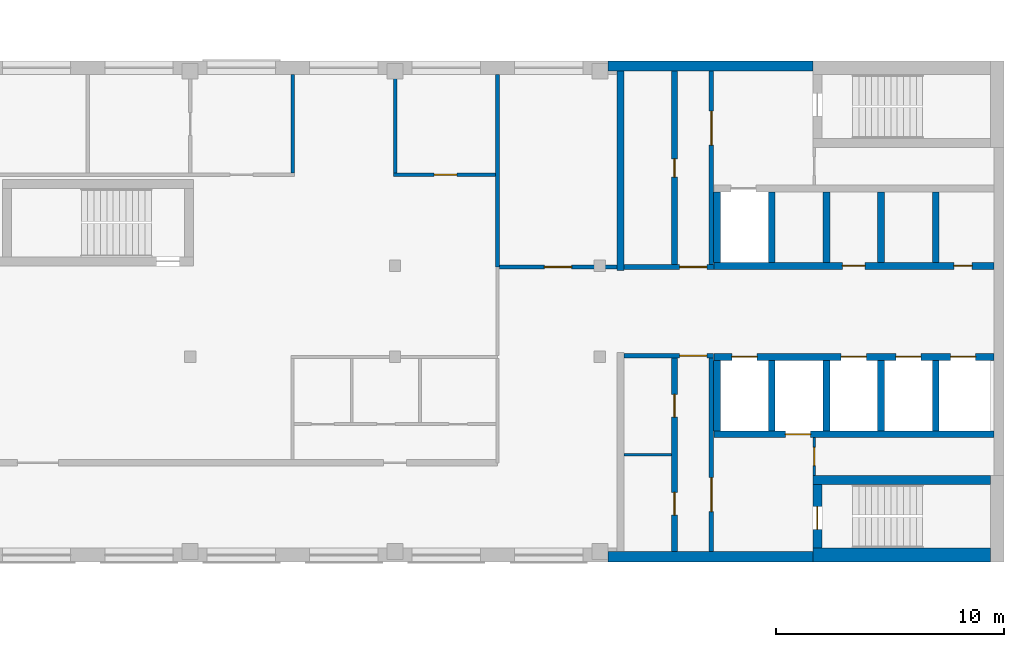
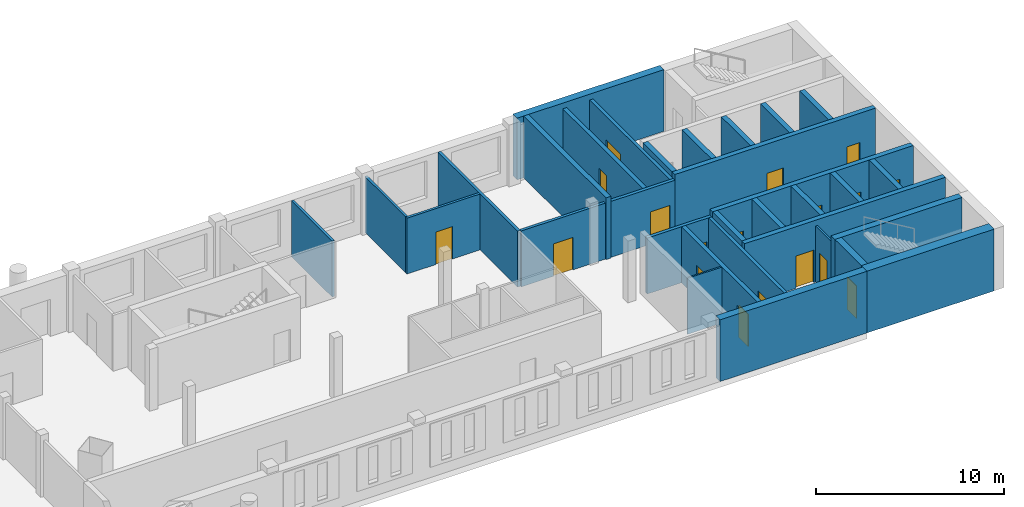
# One storey, part 3 of 7: 32 walls, 18 doors, 18 openings.
"""IFC4 building model written with IfcOpenShell, lengths in metres."""

from ifc_helpers import new_model, si_unit, direction, frame, frame_2d, origin, place, context, subcontext, project, spatial, rectangle, extrude, material, layer, layer_set, type_object, element, fill, save


model = new_model("IFC4")

# Units and contexts
model_context = context("Model", 3, precision=1e-05, world=origin(), true_north=direction((0.0, 1.0)))
body_context = subcontext(model_context, "Body", "Model", "MODEL_VIEW")
ifc_project = project(units=[si_unit("LENGTHUNIT", "METRE"), si_unit("AREAUNIT", "SQUARE_METRE"), si_unit("VOLUMEUNIT", "CUBIC_METRE"), si_unit("PLANEANGLEUNIT", "RADIAN"), si_unit("MASSUNIT", "GRAM", prefix="KILO")], contexts=[model_context])

# Site, building, storey
site_placement = place(None, origin())
site = spatial("IfcSite", under=ifc_project, at=site_placement, CompositionType="ELEMENT")
building_placement = place(site_placement, origin())
building = spatial("IfcBuilding", under=site, at=building_placement, Name="Skarvind Civic Tower", CompositionType="ELEMENT")
storey_placement = place(building_placement, frame((0.0, 0.0, 241.5)))
storey = spatial("IfcBuildingStorey", under=building, at=storey_placement, Name="L57", CompositionType="ELEMENT", Elevation=241.5)

# Wall
ifc_material_1 = material(Name="Acoustic gypsum board on steel studs", Category="steel")
ifc_layer_1 = layer(ifc_material_1, 0.175048828125)
ifc_layer_set_1 = layer_set([ifc_layer_1], Name="ACOUSTIC MEETING-ROOM PARTITION 175")
wall_type_1 = type_object("IfcWallType", Name="ACOUSTIC MEETING-ROOM PARTITION 175", PredefinedType="PARTITIONING", material=ifc_layer_set_1)
wall_1_placement = place(storey_placement, frame((85.75, 129.949951171875, 0.0), z_axis=(0.0, 0.0, 1.0), x_axis=(0.0, 1.0, 0.0)))
element("IfcWall", 1, at=wall_1_placement, inside=storey, type_object=wall_type_1, Name="Partition 57.019", PredefinedType="PARTITIONING", context=body_context, shape_type="SweptSolid", body=[
    extrude(rectangle(XDim=8.449951171875, YDim=0.175048828125, at=frame_2d((4.22509765625, 0.0))), origin(), (0.0, 0.0, 1.0), 3.625),
])

# Wall, opening, door
wall_2_placement = place(storey_placement, frame((85.837890625, 129.949951171875, 0.0), z_axis=(0.0, 0.0, 1.0), x_axis=(1.0, 0.0, 0.0)))
wall_2 = element("IfcWall", 2, at=wall_2_placement, inside=storey, type_object=wall_type_1, Name="Partition 57.021", PredefinedType="PARTITIONING", context=body_context, shape_type="SweptSolid", body=[
    extrude(rectangle(XDim=5.162109375, YDim=0.175048828125, at=frame_2d((2.5810546875, 0.0))), origin(), (0.0, 0.0, 1.0), 3.625),
])
opening_1_placement = place(wall_2_placement, frame((1.970947265625, 0.0, 0.0)))
opening_1 = element("IfcOpeningElement", 3, at=opening_1_placement, cuts=wall_2, Name="Opening L57-D001", PredefinedType="OPENING", context=body_context, shape_type="SweptSolid", body=[
    extrude(rectangle(XDim=1.199951171875, YDim=2.10009765625, at=frame_2d((0.60009765625, 1.050048828125))), frame((0.0, 0.097412109375, 0.0), z_axis=(0.0, -1.0, 0.0), x_axis=(1.0, 0.0, 0.0)), (0.0, 0.0, 1.0), 0.195068359375),
])
ifc_material_2 = material(Name="Timber door leaf", Category="wood")
door_type_1 = type_object("IfcDoorType", Name="DOOR 1200X2100 DOUBLE TIMBER", OperationType="NOTDEFINED", PredefinedType="DOOR", material=ifc_material_2)
door_1_placement = place(opening_1_placement, origin())
door_1 = element("IfcDoor", 4, at=door_1_placement, inside=storey, type_object=door_type_1, Name="Door L57-D001", OperationType="DOUBLE_DOOR_SINGLE_SWING", OverallHeight=2.10009765625, OverallWidth=1.199951171875, PredefinedType="DOOR", context=body_context, shape_type="SweptSolid", body=[
    extrude(rectangle(XDim=1.199951171875, YDim=2.10009765625, at=frame_2d((0.60009765625, 1.050048828125))), frame((0.0, 0.02490234375, 0.0), z_axis=(0.0, -1.0, 0.0), x_axis=(1.0, 0.0, 0.0)), (0.0, 0.0, 1.0), 0.050048828125),
])
fill(opening_1, door_1)

ifc_material_3 = material(Name="Fire-rated masonry partition", Category="masonry")
ifc_layer_2 = layer(ifc_material_3, 0.199951171875)
ifc_layer_set_2 = layer_set([ifc_layer_2], Name="Core enclosure wall 200")
wall_type_2 = type_object("IfcWallType", Name="Core enclosure wall 200", PredefinedType="PARTITIONING", material=ifc_layer_set_2)
wall_3_placement = place(storey_placement, frame((95.25, 126.050048828125, 0.0), z_axis=(0.0, 0.0, 1.0), x_axis=(-1.0, 0.0, 0.0)))
wall_3 = element("IfcWall", 5, at=wall_3_placement, inside=storey, type_object=wall_type_2, Name="Core wall C1", PredefinedType="PARTITIONING", context=body_context, shape_type="SweptSolid", body=[
    extrude(rectangle(XDim=3.949951171875, YDim=0.199951171875, at=frame_2d((1.97509765625, 0.0))), origin(), (0.0, 0.0, 1.0), 3.625),
])
opening_2_placement = place(wall_3_placement, frame((0.300048828125, 0.0, 0.0)))
opening_2 = element("IfcOpeningElement", 6, at=opening_2_placement, cuts=wall_3, Name="Opening D-L57-C1-07", PredefinedType="OPENING", context=body_context, shape_type="SweptSolid", body=[
    extrude(rectangle(XDim=1.199951171875, YDim=2.10009765625, at=frame_2d((0.60009765625, 1.050048828125))), frame((0.0, 0.10986328125, 0.0), z_axis=(0.0, -1.0, 0.0), x_axis=(1.0, 0.0, 0.0)), (0.0, 0.0, 1.0), 0.219970703125),
])
ifc_material_4 = material(Name="Fire-rated steel door", Category="steel")
door_type_2 = type_object("IfcDoorType", Name="Core lobby door 1200", OperationType="NOTDEFINED", PredefinedType="DOOR", material=ifc_material_4)
door_2_placement = place(opening_2_placement, origin())
door_2 = element("IfcDoor", 7, at=door_2_placement, inside=storey, type_object=door_type_2, Name="Fire door", OperationType="DOUBLE_DOOR_SINGLE_SWING", OverallHeight=2.10009765625, OverallWidth=1.199951171875, PredefinedType="DOOR", context=body_context, shape_type="SweptSolid", body=[
    extrude(rectangle(XDim=1.199951171875, YDim=2.10009765625, at=frame_2d((0.60009765625, 1.050048828125))), frame((0.0, 0.02490234375, 0.0), z_axis=(0.0, -1.0, 0.0), x_axis=(1.0, 0.0, 0.0)), (0.0, 0.0, 1.0), 0.050048828125),
])
fill(opening_2, door_2)

wall_4_placement = place(storey_placement, frame((95.14990234375, 117.449951171875, 0.0), z_axis=(0.0, 0.0, 1.0), x_axis=(0.0, 1.0, 0.0)))
wall_4 = element("IfcWall", 8, at=wall_4_placement, inside=storey, type_object=wall_type_2, Name="Core wall C1", PredefinedType="PARTITIONING", context=body_context, shape_type="SweptSolid", body=[
    extrude(rectangle(XDim=8.5, YDim=0.199951171875, at=frame_2d((4.25, 0.0))), origin(), (0.0, 0.0, 1.0), 3.625),
])
opening_3_placement = place(wall_4_placement, frame((1.75, 0.0, 0.0)))
opening_3 = element("IfcOpeningElement", 9, at=opening_3_placement, cuts=wall_4, Name="Opening D-L57-C1-08", PredefinedType="OPENING", context=body_context, shape_type="SweptSolid", body=[
    extrude(rectangle(XDim=1.5, YDim=2.10009765625, at=frame_2d((0.75, 1.050048828125))), frame((0.0, 0.10986328125, 0.0), z_axis=(0.0, -1.0, 0.0), x_axis=(1.0, 0.0, 0.0)), (0.0, 0.0, 1.0), 0.219970703125),
])
door_type_3 = type_object("IfcDoorType", Name="Fire door 1500", OperationType="NOTDEFINED", PredefinedType="DOOR", material=ifc_material_4)
door_3_placement = place(opening_3_placement, origin())
door_3 = element("IfcDoor", 10, at=door_3_placement, inside=storey, type_object=door_type_3, Name="Fire door", OperationType="DOUBLE_DOOR_SINGLE_SWING", OverallHeight=2.10009765625, OverallWidth=1.5, PredefinedType="DOOR", context=body_context, shape_type="SweptSolid", body=[
    extrude(rectangle(XDim=1.5, YDim=2.10009765625, at=frame_2d((0.75, 1.050048828125))), frame((0.0, 0.02490234375, 0.0), z_axis=(0.0, -1.0, 0.0), x_axis=(1.0, 0.0, 0.0)), (0.0, 0.0, 1.0), 0.050048828125),
])
fill(opening_3, door_3)

wall_5_placement = place(storey_placement, frame((91.300048828125, 129.949951171875, 0.0), z_axis=(0.0, 0.0, 1.0), x_axis=(1.0, 0.0, 0.0)))
wall_5 = element("IfcWall", 11, at=wall_5_placement, inside=storey, type_object=wall_type_2, Name="Core wall C1", PredefinedType="PARTITIONING", context=body_context, shape_type="SweptSolid", body=[
    extrude(rectangle(XDim=3.949951171875, YDim=0.199951171875, at=frame_2d((1.97509765625, 0.0))), origin(), (0.0, 0.0, 1.0), 3.625),
])
opening_4_placement = place(wall_5_placement, frame((2.449951171875, 0.0, 0.0)))
opening_4 = element("IfcOpeningElement", 12, at=opening_4_placement, cuts=wall_5, Name="Opening D-L57-C1-13", PredefinedType="OPENING", context=body_context, shape_type="SweptSolid", body=[
    extrude(rectangle(XDim=1.199951171875, YDim=2.10009765625, at=frame_2d((0.60009765625, 1.050048828125))), frame((0.0, 0.10986328125, 0.0), z_axis=(0.0, -1.0, 0.0), x_axis=(1.0, 0.0, 0.0)), (0.0, 0.0, 1.0), 0.219970703125),
])
door_4_placement = place(opening_4_placement, origin())
door_4 = element("IfcDoor", 13, at=door_4_placement, inside=storey, type_object=door_type_2, Name="Fire door", OperationType="DOUBLE_DOOR_SINGLE_SWING", OverallHeight=2.10009765625, OverallWidth=1.199951171875, PredefinedType="DOOR", context=body_context, shape_type="SweptSolid", body=[
    extrude(rectangle(XDim=1.199951171875, YDim=2.10009765625, at=frame_2d((0.60009765625, 1.050048828125))), frame((0.0, 0.02490234375, 0.0), z_axis=(0.0, -1.0, 0.0), x_axis=(1.0, 0.0, 0.0)), (0.0, 0.0, 1.0), 0.050048828125),
])
fill(opening_4, door_4)

wall_6_placement = place(storey_placement, frame((95.14990234375, 130.050048828125, 0.0), z_axis=(0.0, 0.0, 1.0), x_axis=(0.0, 1.0, 0.0)))
wall_6 = element("IfcWall", 14, at=wall_6_placement, inside=storey, type_object=wall_type_2, Name="Core wall C1", PredefinedType="PARTITIONING", context=body_context, shape_type="SweptSolid", body=[
    extrude(rectangle(XDim=8.5, YDim=0.199951171875, at=frame_2d((4.25, 0.0))), origin(), (0.0, 0.0, 1.0), 3.625),
])
opening_5_placement = place(wall_6_placement, frame((5.25, 0.0, 0.0)))
opening_5 = element("IfcOpeningElement", 15, at=opening_5_placement, cuts=wall_6, Name="Opening D-L57-C1-14", PredefinedType="OPENING", context=body_context, shape_type="SweptSolid", body=[
    extrude(rectangle(XDim=1.5, YDim=2.10009765625, at=frame_2d((0.75, 1.050048828125))), frame((0.0, 0.10986328125, 0.0), z_axis=(0.0, -1.0, 0.0), x_axis=(1.0, 0.0, 0.0)), (0.0, 0.0, 1.0), 0.219970703125),
])
door_5_placement = place(opening_5_placement, origin())
door_5 = element("IfcDoor", 16, at=door_5_placement, inside=storey, type_object=door_type_3, Name="Fire door", OperationType="DOUBLE_DOOR_SINGLE_SWING", OverallHeight=2.10009765625, OverallWidth=1.5, PredefinedType="DOOR", context=body_context, shape_type="SweptSolid", body=[
    extrude(rectangle(XDim=1.5, YDim=2.10009765625, at=frame_2d((0.75, 1.050048828125))), frame((0.0, 0.02490234375, 0.0), z_axis=(0.0, -1.0, 0.0), x_axis=(1.0, 0.0, 0.0)), (0.0, 0.0, 1.0), 0.050048828125),
])
fill(opening_5, door_5)

# Wall
ifc_material_5 = material(Name="Fire-rated plasterboard partition")
ifc_layer_3 = layer(ifc_material_5, 0.10009765625)
ifc_layer_set_3 = layer_set([ifc_layer_3], Name="Core partition wall 100")
wall_type_3 = type_object("IfcWallType", Name="Core partition wall 100", PredefinedType="PARTITIONING", material=ifc_layer_set_3)
wall_7_placement = place(storey_placement, frame((93.39990234375, 121.699951171875, 0.0), z_axis=(0.0, 0.0, 1.0), x_axis=(-1.0, 0.0, 0.0)))
element("IfcWall", 17, at=wall_7_placement, inside=storey, type_object=wall_type_3, Name="Core wall C1", PredefinedType="PARTITIONING", context=body_context, shape_type="SweptSolid", body=[
    extrude(rectangle(XDim=2.099853515625, YDim=0.10009765625, at=frame_2d((1.0498046875, 0.0))), origin(), (0.0, 0.0, 1.0), 3.625),
])

# Wall, openings, doors
ifc_material_6 = material(Name="Concrete C60", Category="concrete")
ifc_layer_4 = layer(ifc_material_6, 0.300048828125)
ifc_layer_set_4 = layer_set([ifc_layer_4], Name="Core wall 300 C60")
wall_type_4 = type_object("IfcWallType", Name="Core wall 300 C60", PredefinedType="SHEAR", material=ifc_layer_set_4)
wall_8_placement = place(storey_placement, frame((107.550048828125, 130.0, 0.0), z_axis=(0.0, 0.0, 1.0), x_axis=(-1.0, 0.0, 0.0)))
wall_8 = element("IfcWall", 18, at=wall_8_placement, inside=storey, type_object=wall_type_4, Name="Core wall C1 south lift row front L57", PredefinedType="SHEAR", context=body_context, shape_type="SweptSolid", body=[
    extrude(rectangle(XDim=12.300048828125, YDim=0.300048828125, at=frame_2d((6.14990234375, 0.0))), origin(), (0.0, 0.0, 1.0), 4.0),
])
opening_6_placement = place(wall_8_placement, frame((0.949951171875, 0.0, 0.0)))
opening_6 = element("IfcOpeningElement", 19, at=opening_6_placement, cuts=wall_8, Name="Opening D-L57-C1-05", PredefinedType="OPENING", context=body_context, shape_type="SweptSolid", body=[
    extrude(rectangle(XDim=0.800048828125, YDim=2.10009765625, at=frame_2d((0.39990234375, 1.050048828125))), frame((0.0, 0.159912109375, 0.0), z_axis=(0.0, -1.0, 0.0), x_axis=(1.0, 0.0, 0.0)), (0.0, 0.0, 1.0), 0.320068359375),
])
opening_7_placement = place(wall_8_placement, frame((5.64990234375, 0.0, 0.0)))
opening_7 = element("IfcOpeningElement", 20, at=opening_7_placement, cuts=wall_8, Name="Opening D-L57-C1-06", PredefinedType="OPENING", context=body_context, shape_type="SweptSolid", body=[
    extrude(rectangle(XDim=1.0, YDim=2.10009765625, at=frame_2d((0.5, 1.050048828125))), frame((0.0, 0.159912109375, 0.0), z_axis=(0.0, -1.0, 0.0), x_axis=(1.0, 0.0, 0.0)), (0.0, 0.0, 1.0), 0.320068359375),
])
door_type_4 = type_object("IfcDoorType", Name="Core riser door 800", OperationType="NOTDEFINED", PredefinedType="DOOR", material=ifc_material_4)
door_6_placement = place(opening_6_placement, origin())
door_6 = element("IfcDoor", 21, at=door_6_placement, inside=storey, type_object=door_type_4, Name="Riser door", OperationType="SINGLE_SWING_LEFT", OverallHeight=2.10009765625, OverallWidth=0.800048828125, PredefinedType="DOOR", context=body_context, shape_type="SweptSolid", body=[
    extrude(rectangle(XDim=0.800048828125, YDim=2.10009765625, at=frame_2d((0.39990234375, 1.050048828125))), frame((0.0, 0.02490234375, 0.0), z_axis=(0.0, -1.0, 0.0), x_axis=(1.0, 0.0, 0.0)), (0.0, 0.0, 1.0), 0.050048828125),
])
fill(opening_6, door_6)
door_type_5 = type_object("IfcDoorType", Name="Fire door 1000", OperationType="NOTDEFINED", PredefinedType="DOOR", material=ifc_material_4)
door_7_placement = place(opening_7_placement, origin())
door_7 = element("IfcDoor", 22, at=door_7_placement, inside=storey, type_object=door_type_5, Name="Fire door", OperationType="SINGLE_SWING_RIGHT", OverallHeight=2.10009765625, OverallWidth=1.0, PredefinedType="DOOR", context=body_context, shape_type="SweptSolid", body=[
    extrude(rectangle(XDim=1.0, YDim=2.10009765625, at=frame_2d((0.5, 1.050048828125))), frame((0.0, 0.02490234375, 0.0), z_axis=(0.0, -1.0, 0.0), x_axis=(1.0, 0.0, 0.0)), (0.0, 0.0, 1.0), 0.050048828125),
])
fill(opening_7, door_7)

# Walls
for number, where, z_axis, x_axis, name in (
    (23, (105.0, 133.25, 0.0), (0.0, 0.0, 1.0), (0.0, -1.0, 0.0), "Core wall C1 south lift row division 1 L57"),
    (24, (102.60009765625, 133.25, 0.0), (0.0, 0.0, 1.0), (0.0, -1.0, 0.0), "Core wall C1 south lift row division 2 L57"),
    (25, (100.199951171875, 133.25, 0.0), (0.0, 0.0, 1.0), (0.0, -1.0, 0.0), "Core wall C1 south lift row division 3 L57"),
    (26, (97.800048828125, 133.25, 0.0), (0.0, 0.0, 1.0), (0.0, -1.0, 0.0), "Core wall C1 south lift row division 4 L57"),
    (27, (95.39990234375, 133.25, 0.0), (0.0, 0.0, 1.0), (0.0, -1.0, 0.0), "Core wall C1 south lift row division 5 L57"),
):
    element("IfcWall", number, at=place(storey_placement, frame(where, z_axis=z_axis, x_axis=x_axis)), inside=storey, type_object=wall_type_4, Name=name, PredefinedType="SHEAR", context=body_context, shape_type="SweptSolid", body=[
        extrude(rectangle(XDim=3.10009765625, YDim=0.300048828125, at=frame_2d((1.550048828125, 0.0))), origin(), (0.0, 0.0, 1.0), 4.0),
    ])

# Wall, openings, doors
wall_9_placement = place(storey_placement, frame((107.550048828125, 126.0, 0.0), z_axis=(0.0, 0.0, 1.0), x_axis=(-1.0, 0.0, 0.0)))
wall_9 = element("IfcWall", 28, at=wall_9_placement, inside=storey, type_object=wall_type_4, Name="Core wall C1 north lift row front L57", PredefinedType="SHEAR", context=body_context, shape_type="SweptSolid", body=[
    extrude(rectangle(XDim=12.300048828125, YDim=0.300048828125, at=frame_2d((6.14990234375, 0.0))), origin(), (0.0, 0.0, 1.0), 4.0),
])
opening_8_placement = place(wall_9_placement, frame((0.800048828125, 0.0, 0.0)))
opening_8 = element("IfcOpeningElement", 29, at=opening_8_placement, cuts=wall_9, Name="Opening LD59101", PredefinedType="OPENING", context=body_context, shape_type="SweptSolid", body=[
    extrude(rectangle(XDim=1.10009765625, YDim=2.10009765625, at=frame_2d((0.550048828125, 1.050048828125))), frame((0.0, 0.159912109375, 0.0), z_axis=(0.0, -1.0, 0.0), x_axis=(1.0, 0.0, 0.0)), (0.0, 0.0, 1.0), 0.320068359375),
])
opening_9_placement = place(wall_9_placement, frame((3.199951171875, 0.0, 0.0)))
opening_9 = element("IfcOpeningElement", 30, at=opening_9_placement, cuts=wall_9, Name="Opening LD59102", PredefinedType="OPENING", context=body_context, shape_type="SweptSolid", body=[
    extrude(rectangle(XDim=1.10009765625, YDim=2.10009765625, at=frame_2d((0.550048828125, 1.050048828125))), frame((0.0, 0.159912109375, 0.0), z_axis=(0.0, -1.0, 0.0), x_axis=(1.0, 0.0, 0.0)), (0.0, 0.0, 1.0), 0.320068359375),
])
opening_10_placement = place(wall_9_placement, frame((5.60009765625, 0.0, 0.0)))
opening_10 = element("IfcOpeningElement", 31, at=opening_10_placement, cuts=wall_9, Name="Opening LD59103", PredefinedType="OPENING", context=body_context, shape_type="SweptSolid", body=[
    extrude(rectangle(XDim=1.10009765625, YDim=2.10009765625, at=frame_2d((0.550048828125, 1.050048828125))), frame((0.0, 0.159912109375, 0.0), z_axis=(0.0, -1.0, 0.0), x_axis=(1.0, 0.0, 0.0)), (0.0, 0.0, 1.0), 0.320068359375),
])
opening_11_placement = place(wall_9_placement, frame((10.39990234375, 0.0, 0.0)))
opening_11 = element("IfcOpeningElement", 32, at=opening_11_placement, cuts=wall_9, Name="Opening LD59105", PredefinedType="OPENING", context=body_context, shape_type="SweptSolid", body=[
    extrude(rectangle(XDim=1.10009765625, YDim=2.10009765625, at=frame_2d((0.550048828125, 1.050048828125))), frame((0.0, 0.159912109375, 0.0), z_axis=(0.0, -1.0, 0.0), x_axis=(1.0, 0.0, 0.0)), (0.0, 0.0, 1.0), 0.320068359375),
])
ifc_material_7 = material(Name="Stainless steel landing door", Category="steel")
door_type_6 = type_object("IfcDoorType", Name="Lift landing door 1100", OperationType="DOUBLE_DOOR_SLIDING", PredefinedType="DOOR", material=ifc_material_7)
door_8_placement = place(opening_8_placement, origin())
door_8 = element("IfcDoor", 33, at=door_8_placement, inside=storey, type_object=door_type_6, Name="Lift landing door", OperationType="DOUBLE_DOOR_SLIDING", OverallHeight=2.10009765625, OverallWidth=1.10009765625, PredefinedType="DOOR", context=body_context, shape_type="SweptSolid", body=[
    extrude(rectangle(XDim=1.10009765625, YDim=2.10009765625, at=frame_2d((0.550048828125, 1.050048828125))), frame((0.0, 0.02490234375, 0.0), z_axis=(0.0, -1.0, 0.0), x_axis=(1.0, 0.0, 0.0)), (0.0, 0.0, 1.0), 0.050048828125),
])
fill(opening_8, door_8)
door_9_placement = place(opening_9_placement, origin())
door_9 = element("IfcDoor", 34, at=door_9_placement, inside=storey, type_object=door_type_6, Name="Lift landing door", OperationType="DOUBLE_DOOR_SLIDING", OverallHeight=2.10009765625, OverallWidth=1.10009765625, PredefinedType="DOOR", context=body_context, shape_type="SweptSolid", body=[
    extrude(rectangle(XDim=1.10009765625, YDim=2.10009765625, at=frame_2d((0.550048828125, 1.050048828125))), frame((0.0, 0.02490234375, 0.0), z_axis=(0.0, -1.0, 0.0), x_axis=(1.0, 0.0, 0.0)), (0.0, 0.0, 1.0), 0.050048828125),
])
fill(opening_9, door_9)
door_10_placement = place(opening_10_placement, origin())
door_10 = element("IfcDoor", 35, at=door_10_placement, inside=storey, type_object=door_type_6, Name="Lift landing door", OperationType="DOUBLE_DOOR_SLIDING", OverallHeight=2.10009765625, OverallWidth=1.10009765625, PredefinedType="DOOR", context=body_context, shape_type="SweptSolid", body=[
    extrude(rectangle(XDim=1.10009765625, YDim=2.10009765625, at=frame_2d((0.550048828125, 1.050048828125))), frame((0.0, 0.02490234375, 0.0), z_axis=(0.0, -1.0, 0.0), x_axis=(1.0, 0.0, 0.0)), (0.0, 0.0, 1.0), 0.050048828125),
])
fill(opening_10, door_10)
door_11_placement = place(opening_11_placement, origin())
door_11 = element("IfcDoor", 36, at=door_11_placement, inside=storey, type_object=door_type_6, Name="Lift landing door", OperationType="DOUBLE_DOOR_SLIDING", OverallHeight=2.10009765625, OverallWidth=1.10009765625, PredefinedType="DOOR", context=body_context, shape_type="SweptSolid", body=[
    extrude(rectangle(XDim=1.10009765625, YDim=2.10009765625, at=frame_2d((0.550048828125, 1.050048828125))), frame((0.0, 0.02490234375, 0.0), z_axis=(0.0, -1.0, 0.0), x_axis=(1.0, 0.0, 0.0)), (0.0, 0.0, 1.0), 0.050048828125),
])
fill(opening_11, door_11)

# Wall, opening, door
wall_10_placement = place(storey_placement, frame((107.550048828125, 122.60009765625, 0.0), z_axis=(0.0, 0.0, 1.0), x_axis=(-1.0, 0.0, 0.0)))
wall_10 = element("IfcWall", 37, at=wall_10_placement, inside=storey, type_object=wall_type_4, Name="Core wall C1 north lift row back L57", PredefinedType="SHEAR", context=body_context, shape_type="SweptSolid", body=[
    extrude(rectangle(XDim=12.300048828125, YDim=0.300048828125, at=frame_2d((6.14990234375, 0.0))), origin(), (0.0, 0.0, 1.0), 4.0),
])
opening_12_placement = place(wall_10_placement, frame((8.050048828125, 0.0, 0.0)))
opening_12 = element("IfcOpeningElement", 38, at=opening_12_placement, cuts=wall_10, Name="Opening LD59104", PredefinedType="OPENING", context=body_context, shape_type="SweptSolid", body=[
    extrude(rectangle(XDim=1.10009765625, YDim=2.10009765625, at=frame_2d((0.550048828125, 1.050048828125))), frame((0.0, 0.159912109375, 0.0), z_axis=(0.0, -1.0, 0.0), x_axis=(1.0, 0.0, 0.0)), (0.0, 0.0, 1.0), 0.320068359375),
])
door_12_placement = place(opening_12_placement, origin())
door_12 = element("IfcDoor", 39, at=door_12_placement, inside=storey, type_object=door_type_6, Name="Lift landing door", OperationType="DOUBLE_DOOR_SLIDING", OverallHeight=2.10009765625, OverallWidth=1.10009765625, PredefinedType="DOOR", context=body_context, shape_type="SweptSolid", body=[
    extrude(rectangle(XDim=1.10009765625, YDim=2.10009765625, at=frame_2d((0.550048828125, 1.050048828125))), frame((0.0, 0.02490234375, 0.0), z_axis=(0.0, -1.0, 0.0), x_axis=(1.0, 0.0, 0.0)), (0.0, 0.0, 1.0), 0.050048828125),
])
fill(opening_12, door_12)

# Walls
for number, where, z_axis, x_axis, name in (
    (40, (105.0, 125.85009765625, 0.0), (0.0, 0.0, 1.0), (0.0, -1.0, 0.0), "Core wall C1 north lift row division 1 L57"),
    (41, (102.60009765625, 125.85009765625, 0.0), (0.0, 0.0, 1.0), (0.0, -1.0, 0.0), "Core wall C1 north lift row division 2 L57"),
    (42, (100.199951171875, 125.85009765625, 0.0), (0.0, 0.0, 1.0), (0.0, -1.0, 0.0), "Core wall C1 north lift row division 3 L57"),
    (43, (97.800048828125, 125.85009765625, 0.0), (0.0, 0.0, 1.0), (0.0, -1.0, 0.0), "Core wall C1 north lift row division 4 L57"),
    (44, (95.39990234375, 125.85009765625, 0.0), (0.0, 0.0, 1.0), (0.0, -1.0, 0.0), "Core wall C1 north lift row division 5 L57"),
):
    element("IfcWall", number, at=place(storey_placement, frame(where, z_axis=z_axis, x_axis=x_axis)), inside=storey, type_object=wall_type_4, Name=name, PredefinedType="SHEAR", context=body_context, shape_type="SweptSolid", body=[
        extrude(rectangle(XDim=3.10009765625, YDim=0.300048828125, at=frame_2d((1.550048828125, 0.0))), origin(), (0.0, 0.0, 1.0), 4.0),
    ])
wall_11_placement = place(storey_placement, frame((91.14990234375, 138.550048828125, 0.0), z_axis=(0.0, 0.0, 1.0), x_axis=(0.0, -1.0, 0.0)))
element("IfcWall", 45, at=wall_11_placement, inside=storey, type_object=wall_type_4, Name="Core wall C1 south inner face L57", PredefinedType="SHEAR", context=body_context, shape_type="SweptSolid", body=[
    extrude(rectangle(XDim=8.75, YDim=0.300048828125, at=frame_2d((4.375, 0.0))), origin(), (0.0, 0.0, 1.0), 4.0),
])
ifc_layer_5 = layer(ifc_material_6, 0.39990234375)
ifc_layer_set_5 = layer_set([ifc_layer_5], Name="Core wall 400 C60")
wall_type_5 = type_object("IfcWallType", Name="Core wall 400 C60", PredefinedType="SHEAR", material=ifc_layer_set_5)
wall_12_placement = place(storey_placement, frame((107.39990234375, 120.60009765625, 0.0), z_axis=(0.0, 0.0, 1.0), x_axis=(-1.0, 0.0, 0.0)))
element("IfcWall", 46, at=wall_12_placement, inside=storey, type_object=wall_type_5, Name="Core wall C1 north stair inner L57", PredefinedType="SHEAR", context=body_context, shape_type="SweptSolid", body=[
    extrude(rectangle(XDim=7.7998046875, YDim=0.39990234375, at=frame_2d((3.89990234375, 0.0))), origin(), (0.0, 0.0, 1.0), 4.0),
])

# Wall, opening, door
wall_13_placement = place(storey_placement, frame((99.800048828125, 120.39990234375, 0.0), z_axis=(0.0, 0.0, 1.0), x_axis=(0.0, -1.0, 0.0)))
wall_13 = element("IfcWall", 47, at=wall_13_placement, inside=storey, type_object=wall_type_5, Name="Core wall C1 north stair end L57", PredefinedType="SHEAR", context=body_context, shape_type="SweptSolid", body=[
    extrude(rectangle(XDim=2.7998046875, YDim=0.39990234375, at=frame_2d((1.39990234375, 0.0))), origin(), (0.0, 0.0, 1.0), 4.0),
])
opening_13_placement = place(wall_13_placement, frame((0.97509765625, 0.0, 0.0)))
opening_13 = element("IfcOpeningElement", 48, at=opening_13_placement, cuts=wall_13, Name="Opening D-L57-C1-09", PredefinedType="OPENING", context=body_context, shape_type="SweptSolid", body=[
    extrude(rectangle(XDim=1.0, YDim=2.10009765625, at=frame_2d((0.5, 1.050048828125))), frame((0.0, 0.2099609375, 0.0), z_axis=(0.0, -1.0, 0.0), x_axis=(1.0, 0.0, 0.0)), (0.0, 0.0, 1.0), 0.419921875),
])
door_13_placement = place(opening_13_placement, origin())
door_13 = element("IfcDoor", 49, at=door_13_placement, inside=storey, type_object=door_type_5, Name="Fire door", OperationType="SINGLE_SWING_LEFT", OverallHeight=2.10009765625, OverallWidth=1.0, PredefinedType="DOOR", context=body_context, shape_type="SweptSolid", body=[
    extrude(rectangle(XDim=1.0, YDim=2.10009765625, at=frame_2d((0.5, 1.050048828125))), frame((0.0, 0.02490234375, 0.0), z_axis=(0.0, -1.0, 0.0), x_axis=(1.0, 0.0, 0.0)), (0.0, 0.0, 1.0), 0.050048828125),
])
fill(opening_13, door_13)

# Walls
ifc_layer_6 = layer(ifc_material_6, 0.449951171875)
ifc_layer_set_6 = layer_set([ifc_layer_6], Name="Core wall 450 C60")
wall_type_6 = type_object("IfcWallType", Name="Core wall 450 C60", PredefinedType="SHEAR", material=ifc_layer_set_6)
for number, where, z_axis, x_axis, name in (
    (50, (99.60009765625, 138.77490234375, 0.0), (0.0, 0.0, 1.0), (-1.0, 0.0, 0.0), "Core wall C1 south side L57"),
    (51, (99.60009765625, 117.22509765625, 0.0), (0.0, 0.0, 1.0), (-1.0, 0.0, 0.0), "Core wall C1 north side L57"),
):
    element("IfcWall", number, at=place(storey_placement, frame(where, z_axis=z_axis, x_axis=x_axis)), inside=storey, type_object=wall_type_6, Name=name, PredefinedType="SHEAR", context=body_context, shape_type="SweptSolid", body=[
        extrude(rectangle(XDim=9.0, YDim=0.449951171875, at=frame_2d((4.5, 0.0))), origin(), (0.0, 0.0, 1.0), 4.0),
    ])
ifc_layer_7 = layer(ifc_material_6, 0.60009765625)
ifc_layer_set_7 = layer_set([ifc_layer_7], Name="Core wall 600 C60")
wall_type_7 = type_object("IfcWallType", Name="Core wall 600 C60", PredefinedType="SHEAR", material=ifc_layer_set_7)
wall_14_placement = place(storey_placement, frame((107.39990234375, 117.300048828125, 0.0), z_axis=(0.0, 0.0, 1.0), x_axis=(-1.0, 0.0, 0.0)))
element("IfcWall", 52, at=wall_14_placement, inside=storey, type_object=wall_type_7, Name="Core wall C1 north side at the stair L57", PredefinedType="SHEAR", context=body_context, shape_type="SweptSolid", body=[
    extrude(rectangle(XDim=7.7998046875, YDim=0.60009765625, at=frame_2d((3.89990234375, 0.0))), origin(), (0.0, 0.0, 1.0), 4.0),
])
ifc_material_8 = material(Name="Plasterboard partition on steel studs", Category="steel")
ifc_layer_8 = layer(ifc_material_8, 0.14990234375)
ifc_layer_set_8 = layer_set([ifc_layer_8], Name="PARTITION 150")
wall_type_8 = type_object("IfcWallType", Name="PARTITION 150", PredefinedType="PARTITIONING", material=ifc_layer_set_8)
for number, where, z_axis, x_axis, name in (
    (53, (76.75, 138.39990234375, 0.0), (0.0, 0.0, 1.0), (0.0, -1.0, 0.0), "Partition 57.013"),
    (54, (81.25, 134.074951171875, 0.0), (0.0, 0.0, 1.0), (0.0, 1.0, 0.0), "Partition 57.015"),
):
    element("IfcWall", number, at=place(storey_placement, frame(where, z_axis=z_axis, x_axis=x_axis)), inside=storey, type_object=wall_type_8, Name=name, PredefinedType="PARTITIONING", context=body_context, shape_type="SweptSolid", body=[
        extrude(rectangle(XDim=4.324951171875, YDim=0.14990234375, at=frame_2d((2.16259765625, 0.0))), origin(), (0.0, 0.0, 1.0), 3.625),
    ])

# Wall, opening, door
wall_15_placement = place(storey_placement, frame((85.662109375, 134.0, 0.0), z_axis=(0.0, 0.0, 1.0), x_axis=(-1.0, 0.0, 0.0)))
wall_15 = element("IfcWall", 55, at=wall_15_placement, inside=storey, type_object=wall_type_8, Name="Partition 57.020", PredefinedType="PARTITIONING", context=body_context, shape_type="SweptSolid", body=[
    extrude(rectangle(XDim=4.487060546875, YDim=0.14990234375, at=frame_2d((2.24365234375, 0.0))), origin(), (0.0, 0.0, 1.0), 3.625),
])
opening_14_placement = place(wall_15_placement, frame((1.696044921875, 0.0, 0.0)))
opening_14 = element("IfcOpeningElement", 56, at=opening_14_placement, cuts=wall_15, Name="Opening L57-D006", PredefinedType="OPENING", context=body_context, shape_type="SweptSolid", body=[
    extrude(rectangle(XDim=1.0, YDim=2.10009765625, at=frame_2d((0.5, 1.050048828125))), frame((0.0, 0.0849609375, 0.0), z_axis=(0.0, -1.0, 0.0), x_axis=(1.0, 0.0, 0.0)), (0.0, 0.0, 1.0), 0.169921875),
])
door_type_7 = type_object("IfcDoorType", Name="D1 1000x2100", OperationType="NOTDEFINED", PredefinedType="DOOR", material=ifc_material_2)
door_14_placement = place(opening_14_placement, origin())
door_14 = element("IfcDoor", 57, at=door_14_placement, inside=storey, type_object=door_type_7, Name="Door L57-D006", OperationType="SINGLE_SWING_LEFT", OverallHeight=2.10009765625, OverallWidth=1.0, PredefinedType="DOOR", context=body_context, shape_type="SweptSolid", body=[
    extrude(rectangle(XDim=1.0, YDim=2.10009765625, at=frame_2d((0.5, 1.050048828125))), frame((0.0, 0.02490234375, 0.0), z_axis=(0.0, -1.0, 0.0), x_axis=(1.0, 0.0, 0.0)), (0.0, 0.0, 1.0), 0.050048828125),
])
fill(opening_14, door_14)

ifc_layer_9 = layer(ifc_material_3, 0.125)
ifc_layer_set_9 = layer_set([ifc_layer_9], Name="Riser wall 125")
wall_type_9 = type_object("IfcWallType", Name="Riser wall 125", PredefinedType="PARTITIONING", material=ifc_layer_set_9)
wall_16_placement = place(storey_placement, frame((99.66259765625, 120.800048828125, 0.0), z_axis=(0.0, 0.0, 1.0), x_axis=(0.0, 1.0, 0.0)))
wall_16 = element("IfcWall", 58, at=wall_16_placement, inside=storey, type_object=wall_type_9, Name="Core wall C1", PredefinedType="PARTITIONING", context=body_context, shape_type="SweptSolid", body=[
    extrude(rectangle(XDim=1.64990234375, YDim=0.125, at=frame_2d((0.824951171875, 0.0))), origin(), (0.0, 0.0, 1.0), 3.625),
])
opening_15_placement = place(wall_16_placement, frame((0.425048828125, 0.0, 0.0)))
opening_15 = element("IfcOpeningElement", 59, at=opening_15_placement, cuts=wall_16, Name="Opening D-L57-C1-10", PredefinedType="OPENING", context=body_context, shape_type="SweptSolid", body=[
    extrude(rectangle(XDim=0.800048828125, YDim=2.10009765625, at=frame_2d((0.39990234375, 1.050048828125))), frame((0.0, 0.072509765625, 0.0), z_axis=(0.0, -1.0, 0.0), x_axis=(1.0, 0.0, 0.0)), (0.0, 0.0, 1.0), 0.14501953125),
])
door_15_placement = place(opening_15_placement, origin())
door_15 = element("IfcDoor", 60, at=door_15_placement, inside=storey, type_object=door_type_4, Name="Riser door", OperationType="SINGLE_SWING_RIGHT", OverallHeight=2.10009765625, OverallWidth=0.800048828125, PredefinedType="DOOR", context=body_context, shape_type="SweptSolid", body=[
    extrude(rectangle(XDim=0.800048828125, YDim=2.10009765625, at=frame_2d((0.39990234375, 1.050048828125))), frame((0.0, 0.02490234375, 0.0), z_axis=(0.0, -1.0, 0.0), x_axis=(1.0, 0.0, 0.0)), (0.0, 0.0, 1.0), 0.050048828125),
])
fill(opening_15, door_15)

# Wall, openings, doors
ifc_layer_10 = layer(ifc_material_3, 0.25)
ifc_layer_set_10 = layer_set([ifc_layer_10], Name="Service block wall 250")
wall_type_10 = type_object("IfcWallType", Name="Service block wall 250", PredefinedType="PARTITIONING", material=ifc_layer_set_10)
wall_17_placement = place(storey_placement, frame((93.52490234375, 117.449951171875, 0.0), z_axis=(0.0, 0.0, 1.0), x_axis=(0.0, 1.0, 0.0)))
wall_17 = element("IfcWall", 61, at=wall_17_placement, inside=storey, type_object=wall_type_10, Name="Core wall C1", PredefinedType="PARTITIONING", context=body_context, shape_type="SweptSolid", body=[
    extrude(rectangle(XDim=8.5, YDim=0.25, at=frame_2d((4.25, 0.0))), origin(), (0.0, 0.0, 1.0), 3.625),
])
opening_16_placement = place(wall_17_placement, frame((5.89990234375, 0.0, 0.0)))
opening_16 = element("IfcOpeningElement", 62, at=opening_16_placement, cuts=wall_17, Name="Opening D-L57-C1-11", PredefinedType="OPENING", context=body_context, shape_type="SweptSolid", body=[
    extrude(rectangle(XDim=1.0, YDim=2.10009765625, at=frame_2d((0.5, 1.050048828125))), frame((0.0, 0.135009765625, 0.0), z_axis=(0.0, -1.0, 0.0), x_axis=(1.0, 0.0, 0.0)), (0.0, 0.0, 1.0), 0.27001953125),
])
opening_17_placement = place(wall_17_placement, frame((1.60009765625, 0.0, 0.0)))
opening_17 = element("IfcOpeningElement", 63, at=opening_17_placement, cuts=wall_17, Name="Opening D-L57-C1-12", PredefinedType="OPENING", context=body_context, shape_type="SweptSolid", body=[
    extrude(rectangle(XDim=1.0, YDim=2.10009765625, at=frame_2d((0.5, 1.050048828125))), frame((0.0, 0.135009765625, 0.0), z_axis=(0.0, -1.0, 0.0), x_axis=(1.0, 0.0, 0.0)), (0.0, 0.0, 1.0), 0.27001953125),
])
door_16_placement = place(opening_16_placement, origin())
door_16 = element("IfcDoor", 64, at=door_16_placement, inside=storey, type_object=door_type_5, Name="Fire door", OperationType="SINGLE_SWING_LEFT", OverallHeight=2.10009765625, OverallWidth=1.0, PredefinedType="DOOR", context=body_context, shape_type="SweptSolid", body=[
    extrude(rectangle(XDim=1.0, YDim=2.10009765625, at=frame_2d((0.5, 1.050048828125))), frame((0.0, 0.02490234375, 0.0), z_axis=(0.0, -1.0, 0.0), x_axis=(1.0, 0.0, 0.0)), (0.0, 0.0, 1.0), 0.050048828125),
])
fill(opening_16, door_16)
door_17_placement = place(opening_17_placement, origin())
door_17 = element("IfcDoor", 65, at=door_17_placement, inside=storey, type_object=door_type_5, Name="Fire door", OperationType="SINGLE_SWING_RIGHT", OverallHeight=2.10009765625, OverallWidth=1.0, PredefinedType="DOOR", context=body_context, shape_type="SweptSolid", body=[
    extrude(rectangle(XDim=1.0, YDim=2.10009765625, at=frame_2d((0.5, 1.050048828125))), frame((0.0, 0.02490234375, 0.0), z_axis=(0.0, -1.0, 0.0), x_axis=(1.0, 0.0, 0.0)), (0.0, 0.0, 1.0), 0.050048828125),
])
fill(opening_17, door_17)

# Wall, opening, door
wall_18_placement = place(storey_placement, frame((93.52490234375, 130.050048828125, 0.0), z_axis=(0.0, 0.0, 1.0), x_axis=(0.0, 1.0, 0.0)))
wall_18 = element("IfcWall", 66, at=wall_18_placement, inside=storey, type_object=wall_type_10, Name="Core wall C1", PredefinedType="PARTITIONING", context=body_context, shape_type="SweptSolid", body=[
    extrude(rectangle(XDim=8.5, YDim=0.25, at=frame_2d((4.25, 0.0))), origin(), (0.0, 0.0, 1.0), 3.625),
])
opening_18_placement = place(wall_18_placement, frame((3.85009765625, 0.0, 0.0)))
opening_18 = element("IfcOpeningElement", 67, at=opening_18_placement, cuts=wall_18, Name="Opening D-L57-C1-17", PredefinedType="OPENING", context=body_context, shape_type="SweptSolid", body=[
    extrude(rectangle(XDim=0.800048828125, YDim=2.10009765625, at=frame_2d((0.39990234375, 1.050048828125))), frame((0.0, 0.135009765625, 0.0), z_axis=(0.0, -1.0, 0.0), x_axis=(1.0, 0.0, 0.0)), (0.0, 0.0, 1.0), 0.27001953125),
])
door_18_placement = place(opening_18_placement, origin())
door_18 = element("IfcDoor", 68, at=door_18_placement, inside=storey, type_object=door_type_4, Name="Riser door", OperationType="SINGLE_SWING_RIGHT", OverallHeight=2.10009765625, OverallWidth=0.800048828125, PredefinedType="DOOR", context=body_context, shape_type="SweptSolid", body=[
    extrude(rectangle(XDim=0.800048828125, YDim=2.10009765625, at=frame_2d((0.39990234375, 1.050048828125))), frame((0.0, 0.02490234375, 0.0), z_axis=(0.0, -1.0, 0.0), x_axis=(1.0, 0.0, 0.0)), (0.0, 0.0, 1.0), 0.050048828125),
])
fill(opening_18, door_18)

save(model, "model.ifc")
